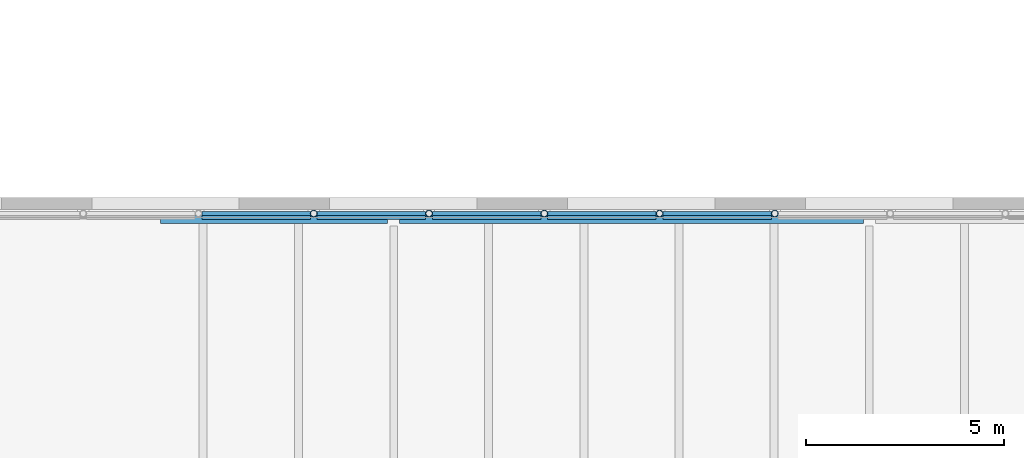
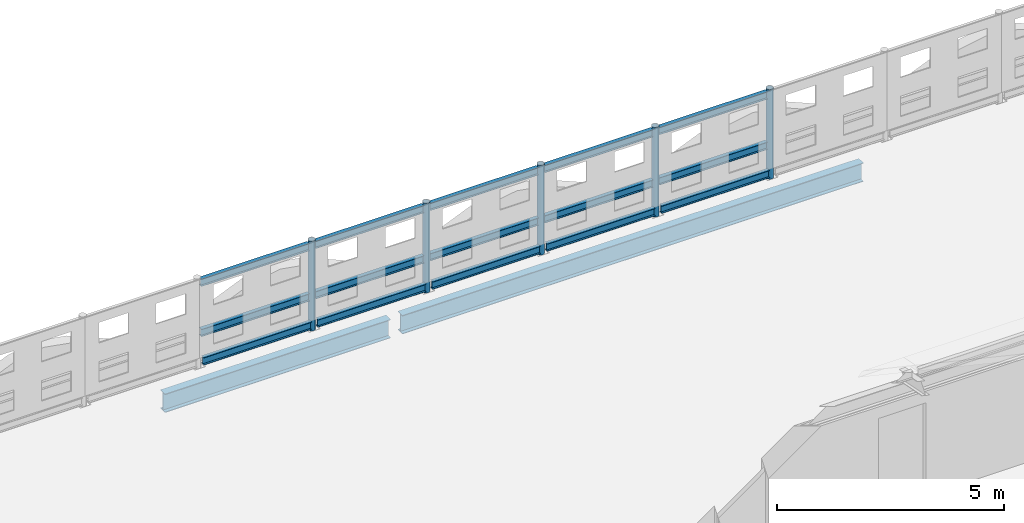
# One storey, part 36 of 91: 20 members, 2 beams.
"""IFC4 building model written with IfcOpenShell, lengths in metres."""

import ifcopenshell
import ifcopenshell.guid

model = None  # the IFC model being written
_history = None  # IfcOwnerHistory: only IFC2X3 demands one
_inside = {}  # id of a spatial element -> (the spatial element, [elements in it])
_under = {}  # id of a project, library or spatial element -> (it, [spatial elements below it])
_declared = {}  # id of a project -> (the project, [libraries it declares])
_typed = {}  # id of a type object -> (the type object, [elements of that type])
_made_of = {}  # id of a material, layer set ... -> (it, [elements and type objects made of it])


def new_model(schema):
    """Start an empty IFC model of exactly this schema.

    Asked for "IFC4X3", IfcOpenShell would pick the latest addendum, in which some entities
    have other attributes; the version numbers below select the first issue.
    IFC2X3 requires an IfcOwnerHistory on every rooted entity: one is made here for all.
    """
    global model, _history
    if schema == "IFC4X3":
        model = ifcopenshell.file(schema_version=(4, 3, 0, 0))
    else:
        model = ifcopenshell.file(schema=schema)
    _inside.clear()
    _under.clear()
    _declared.clear()
    _typed.clear()
    _made_of.clear()
    _history = None
    if model.schema == "IFC2X3":
        org = make("IfcOrganization", Name="unknown")
        user = make(
            "IfcPersonAndOrganization",
            ThePerson=make("IfcPerson", FamilyName="unknown"),
            TheOrganization=org,
        )
        app = make(
            "IfcApplication",
            ApplicationDeveloper=org,
            Version="unknown",
            ApplicationFullName="unknown",
            ApplicationIdentifier="unknown",
        )
        _history = make(
            "IfcOwnerHistory",
            OwningUser=user,
            OwningApplication=app,
            ChangeAction="ADDED",
            CreationDate=0,
        )
    return model


def make(cls, **values):
    """One entity of the class cls with the attributes given. An attribute that is None is left unset."""
    return model.create_entity(
        cls, **{name: value for name, value in values.items() if value is not None}
    )


def rooted(cls, **values):
    """An entity with a GlobalId (a new one), such as an element, a storey or a relation."""
    return make(cls, GlobalId=ifcopenshell.guid.new(), OwnerHistory=_history, **values)


def si_unit(unit_type, name, prefix=None):
    """IfcSIUnit, for example si_unit("LENGTHUNIT", "METRE", prefix="MILLI")."""
    return make("IfcSIUnit", UnitType=unit_type, Prefix=prefix, Name=name)


def assignment(units):
    """IfcUnitAssignment: the units of a project."""
    return None if units is None else make("IfcUnitAssignment", Units=units)


def point(xyz):
    """IfcCartesianPoint."""
    return None if xyz is None else make("IfcCartesianPoint", Coordinates=xyz)


def direction(xyz):
    """IfcDirection."""
    return None if xyz is None else make("IfcDirection", DirectionRatios=xyz)


def frame(location, z_axis=None, x_axis=None):
    """IfcAxis2Placement3D, a coordinate frame: its origin and axes. An axis left out is left unset."""
    return make(
        "IfcAxis2Placement3D",
        Location=point(location),
        Axis=direction(z_axis),
        RefDirection=direction(x_axis),
    )


def frame_2d(location, x_axis=None):
    """IfcAxis2Placement2D, a coordinate frame in the plane: its origin and x axis."""
    return make(
        "IfcAxis2Placement2D", Location=point(location), RefDirection=direction(x_axis)
    )


def origin():
    """The frame at (0, 0, 0) with its axes left unset."""
    return frame((0.0, 0.0, 0.0))


def origin_2d():
    """The frame at (0, 0) in the plane with its x axis left unset."""
    return frame_2d((0.0, 0.0))


def place(relative_to, where):
    """IfcLocalPlacement: puts the frame where relative to a parent placement (None: the world)."""
    return make(
        "IfcLocalPlacement", PlacementRelTo=relative_to, RelativePlacement=where
    )


def context(
    kind, dimensions, precision=None, world=None, true_north=None, identifier=None
):
    """IfcGeometricRepresentationContext, for example the 3D "Model" context."""
    return make(
        "IfcGeometricRepresentationContext",
        ContextIdentifier=identifier,
        ContextType=kind,
        CoordinateSpaceDimension=dimensions,
        Precision=precision,
        WorldCoordinateSystem=world,
        TrueNorth=true_north,
    )


def subcontext(parent, identifier, kind, view, scale=None):
    """IfcGeometricRepresentationSubContext, for example "Body" below "Model"."""
    return make(
        "IfcGeometricRepresentationSubContext",
        ContextIdentifier=identifier,
        ContextType=kind,
        ParentContext=parent,
        TargetScale=scale,
        TargetView=view,
    )


def project(units=None, contexts=None):
    """IfcProject with its units and contexts."""
    return rooted(
        "IfcProject",
        Name="project",
        RepresentationContexts=contexts,
        UnitsInContext=assignment(units),
    )


def spatial(cls, under=None, at=None, **own):
    """A site, building, storey or space (cls), placed at a placement, below another one or the project."""
    s = rooted(cls, ObjectPlacement=at, **own)
    if under is not None:
        _under.setdefault(under.id(), (under, []))[1].append(s)
    return s


def profile(cls, at=None, kind="AREA", **sizes):
    """A parametric profile (cls). Its sizes go by their IFC names, for example OverallWidth=200.0."""
    return make(cls, ProfileType=kind, Position=at, **sizes)


def hollow_circle(**sizes):
    """IfcCircleHollowProfileDef."""
    return profile("IfcCircleHollowProfileDef", **sizes)


def i_section(**sizes):
    """IfcIShapeProfileDef."""
    return profile("IfcIShapeProfileDef", **sizes)


def extrude(swept, where, along, depth):
    """IfcExtrudedAreaSolid: the profile swept, set in the frame where, extruded along a direction by depth."""
    return make(
        "IfcExtrudedAreaSolid",
        SweptArea=swept,
        Position=where,
        ExtrudedDirection=direction(along),
        Depth=depth,
    )


def shape(context_of_items, identifier, shape_type, items):
    """IfcShapeRepresentation: the items that make up one representation, for example the "Body"."""
    return make(
        "IfcShapeRepresentation",
        ContextOfItems=context_of_items,
        RepresentationIdentifier=identifier,
        RepresentationType=shape_type,
        Items=items,
    )


def material(Name=None, Category=None):
    """IfcMaterial."""
    return make("IfcMaterial", Name=Name, Category=Category)


def material_profile(
    of_material, cross_section, Name=None, Category=None, Priority=None
):
    """IfcMaterialProfile: a cross section and its material."""
    return make(
        "IfcMaterialProfile",
        Name=Name,
        Material=of_material,
        Profile=cross_section,
        Priority=Priority,
        Category=Category,
    )


def profile_set(profiles, Name=None, composite=None):
    """IfcMaterialProfileSet."""
    return make(
        "IfcMaterialProfileSet",
        Name=Name,
        MaterialProfiles=profiles,
        CompositeProfile=composite,
    )


def made_of(thing, what):
    """Note that an element or type object is made of a material, layer set ...; save() writes the relation."""
    if what is not None:
        _made_of.setdefault(what.id(), (what, []))[1].append(thing)
    return thing


def type_object(cls, material=None, **own):
    """A type object (cls), such as IfcWallType, which elements share."""
    return made_of(rooted(cls, **own), material)


def element(
    cls,
    number,
    at=None,
    inside=None,
    cuts=None,
    type_object=None,
    material=None,
    context=None,
    identifier="Body",
    shape_type=None,
    held_by="IfcProductDefinitionShape",
    body=None,
    shapes=None,
    **own,
):
    """One element of the class cls, such as IfcWall. Its Tag is "e" and its number.

    at: its placement. inside: the storey or other place that contains it. cuts: it is an
    opening in that element (IfcRelVoidsElement). A single representation is given by context,
    identifier, shape_type and body (its items); several are given by shapes. held_by: the class
    of the entity that holds the representations. save() writes the other relations.
    """
    e = rooted(cls, Tag="e%d" % number, ObjectPlacement=at, **own)
    if body is not None:
        shapes = [shape(context, identifier, shape_type, body)]
    if shapes is not None:
        e.Representation = make(held_by, Representations=shapes)
    if inside is not None:
        _inside.setdefault(inside.id(), (inside, []))[1].append(e)
    if cuts is not None:
        rooted(
            "IfcRelVoidsElement", RelatingBuildingElement=cuts, RelatedOpeningElement=e
        )
    if type_object is not None:
        _typed.setdefault(type_object.id(), (type_object, []))[1].append(e)
    return made_of(e, material)


def aggregate(whole, parts):
    """IfcRelAggregates: a whole, such as a stair, and the parts it consists of."""
    return rooted("IfcRelAggregates", RelatingObject=whole, RelatedObjects=parts)


def save(model, path):
    """Write the relations noted so far, then the file.

    IfcRelAggregates (storeys below a building ...), IfcRelContainedInSpatialStructure (elements
    in a storey), IfcRelDefinesByType, IfcRelAssociatesMaterial and IfcRelDeclares: one each for
    every whole, place, type object, material and project.
    """
    for whole, parts in _under.values():
        aggregate(whole, parts)
    for where, things in _inside.values():
        rooted(
            "IfcRelContainedInSpatialStructure",
            RelatedElements=things,
            RelatingStructure=where,
        )
    for kind, things in _typed.values():
        rooted("IfcRelDefinesByType", RelatedObjects=things, RelatingType=kind)
    for what, things in _made_of.values():
        rooted("IfcRelAssociatesMaterial", RelatedObjects=things, RelatingMaterial=what)
    for by, libraries in _declared.values():
        rooted("IfcRelDeclares", RelatingContext=by, RelatedDefinitions=libraries)
    model.write(path)


model = new_model("IFC4")

# Units and contexts
model_context = context("Model", 3, precision=1e-05, world=origin(), true_north=direction((0.0, 1.0)))
body_context = subcontext(model_context, "Body", "Model", "MODEL_VIEW")
ifc_project = project(units=[si_unit("LENGTHUNIT", "METRE"), si_unit("AREAUNIT", "SQUARE_METRE"), si_unit("VOLUMEUNIT", "CUBIC_METRE"), si_unit("PLANEANGLEUNIT", "RADIAN"), si_unit("MASSUNIT", "GRAM", prefix="KILO")], contexts=[model_context])

# Site, building, storey
site_placement = place(None, origin())
site = spatial("IfcSite", under=ifc_project, at=site_placement, CompositionType="ELEMENT")
building_placement = place(site_placement, origin())
building = spatial("IfcBuilding", under=site, at=building_placement, Name="Ravi Spectrum Wholesale Market", CompositionType="ELEMENT")
storey_placement = place(building_placement, frame((0.0, 0.0, 16.199951171875)))
storey = spatial("IfcBuildingStorey", under=building, at=storey_placement, Name="ROOF PLANT LEVEL", CompositionType="ELEMENT", Elevation=16.199951171875)

# Members
ifc_material_1 = material(Name="Steel S355", Category="steel")
ifc_material_profile_1 = material_profile(ifc_material_1, hollow_circle(Radius=0.084228515625, WallThickness=0.00634765625, at=origin_2d()))
ifc_profile_set_1 = profile_set([ifc_material_profile_1], Name="Steel S355")
member_type_1 = type_object("IfcMemberType", Name="CHS 168.3x6.3 post", PredefinedType="POST", material=ifc_profile_set_1)
for number, where, z_axis, x_axis, name in (
    (1, (267.615478515625, 66.14990234375, 0.0), (0.0, 0.0, 1.0), (1.0, 0.0, 0.0), "CS-MB-ROOF-052"),
    (2, (264.708740234375, 66.14990234375, 0.0), (0.0, 0.0, 1.0), (1.0, 0.0, 0.0), "CS-MB-ROOF-053"),
    (3, (261.8017578125, 66.14990234375, 0.0), (0.0, 0.0, 1.0), (1.0, 0.0, 0.0), "CS-MB-ROOF-054"),
    (4, (258.894775390625, 66.14990234375, 0.0), (0.0, 0.0, 1.0), (1.0, 0.0, 0.0), "CS-MB-ROOF-055"),
    (5, (255.988037109375, 66.14990234375, 0.0), (0.0, 0.0, 1.0), (1.0, 0.0, 0.0), "CS-MB-ROOF-056"),
):
    element("IfcMember", number, at=place(storey_placement, frame(where, z_axis=z_axis, x_axis=x_axis)), inside=storey, type_object=member_type_1, Name=name, PredefinedType="POST", context=body_context, shape_type="SweptSolid", body=[
        extrude(hollow_circle(Radius=0.084228515625, WallThickness=0.00634765625, at=origin_2d()), origin(), (0.0, 0.0, 1.0), 2.400146484375),
    ])
ifc_material_2 = material(Name="Steel S355", Category="steel")
ifc_material_profile_2 = material_profile(ifc_material_2, i_section(OverallWidth=0.10009765625, OverallDepth=0.199951171875, WebThickness=0.005615234375, FlangeThickness=0.008544921875, at=origin_2d()))
ifc_profile_set_2 = profile_set([ifc_material_profile_2], Name="Steel S355")
member_type_2 = type_object("IfcMemberType", Name="IPE 200 purlin", PredefinedType="PURLIN", material=ifc_profile_set_2)
for number, where, z_axis, x_axis, name in (
    (6, (267.53125, 66.14990234375, 0.900146484375), (-1.0, 0.0, 0.0), (0.0, -1.0, 0.0), "CS-MB-ROOF-240"),
    (7, (267.53125, 66.14990234375, 2.25), (-1.0, 0.0, 0.0), (0.0, -1.0, 0.0), "CS-MB-ROOF-241"),
    (8, (267.53125, 66.05078125, 0.199951171875), (-1.0, 0.0, 0.0), (0.0, -1.0, 0.0), "CS-MB-ROOF-242"),
    (9, (264.62451171875, 66.14990234375, 0.900146484375), (-1.0, 0.0, 0.0), (0.0, -1.0, 0.0), "CS-MB-ROOF-243"),
    (10, (264.62451171875, 66.14990234375, 2.25), (-1.0, 0.0, 0.0), (0.0, -1.0, 0.0), "CS-MB-ROOF-244"),
    (11, (264.62451171875, 66.05078125, 0.199951171875), (-1.0, 0.0, 0.0), (0.0, -1.0, 0.0), "CS-MB-ROOF-245"),
    (12, (261.717529296875, 66.14990234375, 0.900146484375), (-1.0, 0.0, 0.0), (0.0, -1.0, 0.0), "CS-MB-ROOF-246"),
    (13, (261.717529296875, 66.14990234375, 2.25), (-1.0, 0.0, 0.0), (0.0, -1.0, 0.0), "CS-MB-ROOF-247"),
    (14, (261.717529296875, 66.05078125, 0.199951171875), (-1.0, 0.0, 0.0), (0.0, -1.0, 0.0), "CS-MB-ROOF-248"),
):
    element("IfcMember", number, at=place(storey_placement, frame(where, z_axis=z_axis, x_axis=x_axis)), inside=storey, type_object=member_type_2, Name=name, PredefinedType="PURLIN", context=body_context, shape_type="SweptSolid", body=[
        extrude(i_section(OverallWidth=0.10009765625, OverallDepth=0.199951171875, WebThickness=0.005615234375, FlangeThickness=0.008544921875, at=origin_2d()), origin(), (0.0, 0.0, 1.0), 2.738525390625),
    ])
for number, where, z_axis, x_axis, name in (
    (15, (258.810791015625, 66.14990234375, 0.900146484375), (-1.0, 0.0, 0.0), (0.0, -1.0, 0.0), "CS-MB-ROOF-249"),
    (16, (258.810791015625, 66.14990234375, 2.25), (-1.0, 0.0, 0.0), (0.0, -1.0, 0.0), "CS-MB-ROOF-250"),
    (17, (258.810791015625, 66.05078125, 0.199951171875), (-1.0, 0.0, 0.0), (0.0, -1.0, 0.0), "CS-MB-ROOF-251"),
):
    element("IfcMember", number, at=place(storey_placement, frame(where, z_axis=z_axis, x_axis=x_axis)), inside=storey, type_object=member_type_2, Name=name, PredefinedType="PURLIN", context=body_context, shape_type="SweptSolid", body=[
        extrude(i_section(OverallWidth=0.10009765625, OverallDepth=0.199951171875, WebThickness=0.005615234375, FlangeThickness=0.008544921875, at=origin_2d()), origin(), (0.0, 0.0, 1.0), 2.73876953125),
    ])
for number, where, z_axis, x_axis, name in (
    (18, (255.90380859375, 66.14990234375, 0.900146484375), (-1.0, 0.0, 0.0), (0.0, -1.0, 0.0), "CS-MB-ROOF-252"),
    (19, (255.90380859375, 66.14990234375, 2.25), (-1.0, 0.0, 0.0), (0.0, -1.0, 0.0), "CS-MB-ROOF-253"),
    (20, (255.90380859375, 66.05078125, 0.199951171875), (-1.0, 0.0, 0.0), (0.0, -1.0, 0.0), "CS-MB-ROOF-254"),
):
    element("IfcMember", number, at=place(storey_placement, frame(where, z_axis=z_axis, x_axis=x_axis)), inside=storey, type_object=member_type_2, Name=name, PredefinedType="PURLIN", context=body_context, shape_type="SweptSolid", body=[
        extrude(i_section(OverallWidth=0.10009765625, OverallDepth=0.199951171875, WebThickness=0.005615234375, FlangeThickness=0.008544921875, at=origin_2d()), origin(), (0.0, 0.0, 1.0), 2.738525390625),
    ])

# Beams
ifc_material_3 = material(Name="Steel S355", Category="steel")
ifc_material_profile_3 = material_profile(ifc_material_3, i_section(OverallWidth=0.199951171875, OverallDepth=0.5, WebThickness=0.01025390625, FlangeThickness=0.01611328125, at=origin_2d()))
ifc_profile_set_3 = profile_set([ifc_material_profile_3], Name="Steel S355")
beam_type = type_object("IfcBeamType", Name="IPE 500 beam", PredefinedType="BEAM", material=ifc_profile_set_3)
beam_1_placement = place(storey_placement, frame((252.125, 66.0, -0.5), z_axis=(1.0, 0.0, 0.0), x_axis=(0.0, 1.0, 0.0)))
element("IfcBeam", 21, at=beam_1_placement, inside=storey, type_object=beam_type, Name="CS-BM-ROOF-033", PredefinedType="BEAM", context=body_context, shape_type="SweptSolid", body=[
    extrude(i_section(OverallWidth=0.199951171875, OverallDepth=0.5, WebThickness=0.01025390625, FlangeThickness=0.01611328125, at=origin_2d()), origin(), (0.0, 0.0, 1.0), 5.72509765625),
])
beam_2_placement = place(storey_placement, frame((258.14990234375, 66.0, -0.5), z_axis=(1.0, 0.0, 0.0), x_axis=(0.0, 1.0, 0.0)))
element("IfcBeam", 22, at=beam_2_placement, inside=storey, type_object=beam_type, Name="CS-BM-ROOF-034", PredefinedType="BEAM", context=body_context, shape_type="SweptSolid", body=[
    extrude(i_section(OverallWidth=0.199951171875, OverallDepth=0.5, WebThickness=0.01025390625, FlangeThickness=0.01611328125, at=origin_2d()), origin(), (0.0, 0.0, 1.0), 11.7001953125),
])

save(model, "model.ifc")
